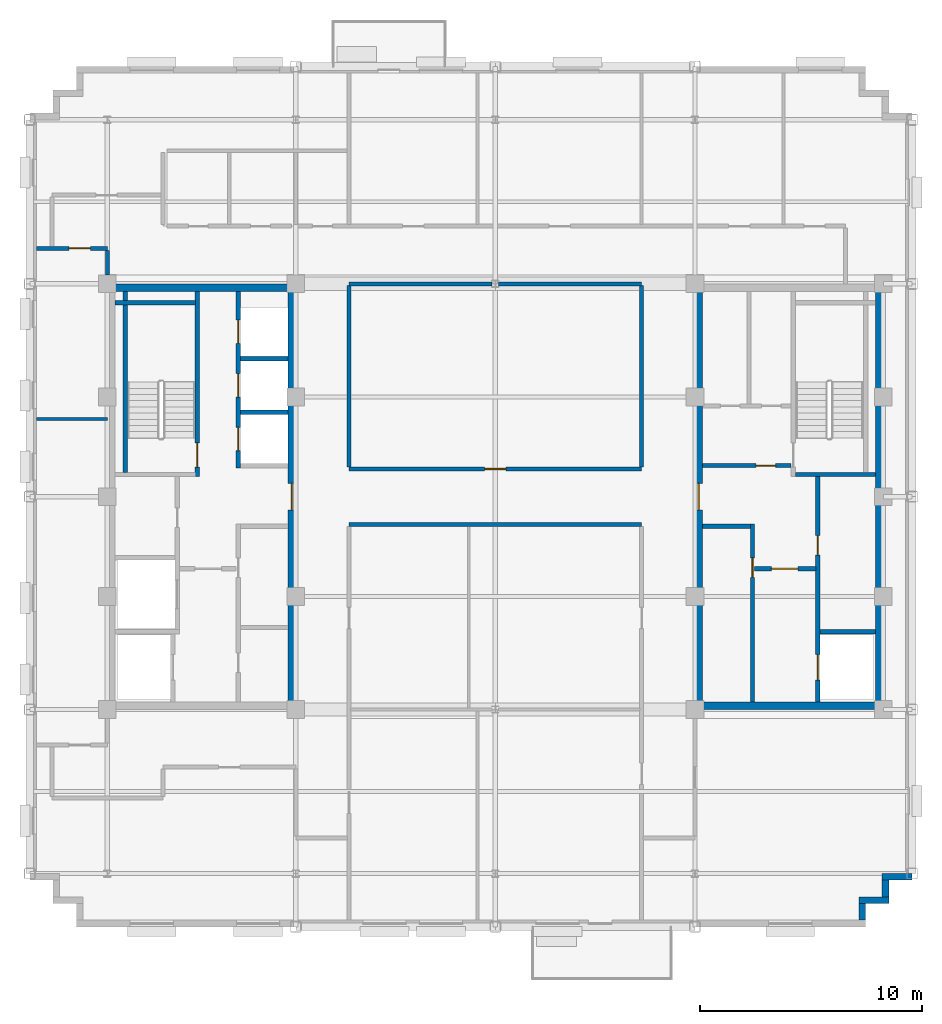
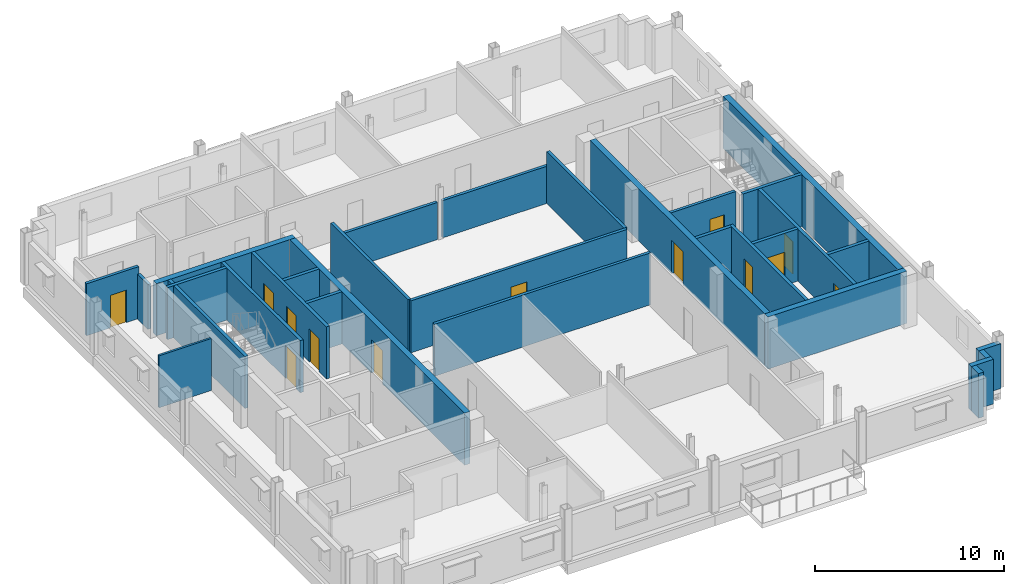
# One storey, part 7 of 13: 31 walls, 13 doors, 13 openings.
"""IFC4 building model written with IfcOpenShell, lengths in metres."""

from ifc_helpers import new_model, si_unit, direction, frame, frame_2d, origin, place, context, subcontext, project, spatial, rectangle, extrude, source, transform, mapped, material, layer, layer_set, type_object, type_shapes, element, fill, save


model = new_model("IFC4")

# Units and contexts
model_context = context("Model", 3, precision=1e-05, world=origin(), true_north=direction((0.0, 1.0)))
body_context = subcontext(model_context, "Body", "Model", "MODEL_VIEW")
ifc_project = project(units=[si_unit("LENGTHUNIT", "METRE"), si_unit("AREAUNIT", "SQUARE_METRE"), si_unit("VOLUMEUNIT", "CUBIC_METRE"), si_unit("PLANEANGLEUNIT", "RADIAN"), si_unit("MASSUNIT", "GRAM", prefix="KILO")], contexts=[model_context])

# Site, building, storey
site_placement = place(None, origin())
site = spatial("IfcSite", under=ifc_project, at=site_placement, CompositionType="ELEMENT")
building_placement = place(site_placement, origin())
building = spatial("IfcBuilding", under=site, at=building_placement, Name="Nuvemarco Arch Tower", CompositionType="ELEMENT")
storey_placement = place(building_placement, frame((0.0, 0.0, 261.60009765625)))
storey = spatial("IfcBuildingStorey", under=building, at=storey_placement, Name="L69", CompositionType="ELEMENT", Elevation=261.60009765625)

# Walls
ifc_material_1 = material(Name="Precast concrete C45/55", Category="concrete")
ifc_layer_1 = layer(ifc_material_1, 0.300048828125, Name="EW-HIGH-300")
ifc_layer_set_1 = layer_set([ifc_layer_1], Name="Precast concrete C45/55")
wall_type_1 = type_object("IfcWallType", Name="EW-HIGH-300", PredefinedType="STANDARD", material=ifc_layer_set_1)
wall_1_placement = place(storey_placement, frame((16.550048828125, -19.10400390625, 0.0), z_axis=(0.0, 0.0, 1.0), x_axis=(0.0, 1.0, 0.0)))
element("IfcWall", 1, at=wall_1_placement, inside=storey, type_object=wall_type_1, Name="L69 exterior precast facade wall 2", PredefinedType="STANDARD", context=body_context, shape_type="SweptSolid", body=[
    extrude(rectangle(XDim=0.758056640625, YDim=0.300048828125, at=frame_2d((0.37890625, 0.0))), origin(), (0.0, 0.0, 1.0), 2.891845703125),
])
wall_2_placement = place(storey_placement, frame((16.39990234375, -18.199951171875, 0.0), z_axis=(0.0, 0.0, 1.0), x_axis=(1.0, 0.0, 0.0)))
element("IfcWall", 2, at=wall_2_placement, inside=storey, type_object=wall_type_1, Name="L69 exterior precast facade wall 3", PredefinedType="STANDARD", context=body_context, shape_type="SweptSolid", body=[
    extrude(rectangle(XDim=1.35009765625, YDim=0.300048828125, at=frame_2d((0.675048828125, 0.0))), origin(), (0.0, 0.0, 1.0), 2.891845703125),
])
wall_3_placement = place(storey_placement, frame((17.60009765625, -18.053955078125, 0.0), z_axis=(0.0, 0.0, 1.0), x_axis=(0.0, 1.0, 0.0)))
element("IfcWall", 3, at=wall_3_placement, inside=storey, type_object=wall_type_1, Name="L69 exterior precast facade wall 4", PredefinedType="STANDARD", context=body_context, shape_type="SweptSolid", body=[
    extrude(rectangle(XDim=0.758056640625, YDim=0.300048828125, at=frame_2d((0.37890625, 0.0))), origin(), (0.0, 0.0, 1.0), 2.891845703125),
])
wall_4_placement = place(storey_placement, frame((17.449951171875, -17.14990234375, 0.0), z_axis=(0.0, 0.0, 1.0), x_axis=(1.0, 0.0, 0.0)))
element("IfcWall", 4, at=wall_4_placement, inside=storey, type_object=wall_type_1, Name="L69 exterior precast facade wall 5", PredefinedType="STANDARD", context=body_context, shape_type="SweptSolid", body=[
    extrude(rectangle(XDim=1.35009765625, YDim=0.300048828125, at=frame_2d((0.675048828125, 0.0))), origin(), (0.0, 0.0, 1.0), 2.891845703125),
])
ifc_material_2 = material(Name="Concrete C50/60", Category="concrete")
ifc_layer_2 = layer(ifc_material_2, 0.35009765625, Name="WL-CORE-350")
ifc_layer_set_2 = layer_set([ifc_layer_2], Name="Concrete C50/60")
wall_type_2 = type_object("IfcWallType", Name="WL-CORE-350", PredefinedType="SHEAR", material=ifc_layer_set_2)
wall_5_placement = place(storey_placement, frame((-17.5, 9.425048828125, 0.0), z_axis=(0.0, 0.0, 1.0), x_axis=(1.0, 0.0, 0.0)))
element("IfcWall", 5, at=wall_5_placement, inside=storey, type_object=wall_type_2, Name="L69 W-core shear wall N", PredefinedType="SHEAR", context=body_context, shape_type="SweptSolid", body=[
    extrude(rectangle(XDim=8.5, YDim=0.35009765625, at=frame_2d((4.25, 0.0))), origin(), (0.0, 0.0, 1.0), 3.369873046875),
])

# Wall, opening, door
wall_6_placement = place(storey_placement, frame((-9.175048828125, -9.2548828125, 0.0), z_axis=(0.0, 0.0, 1.0), x_axis=(0.0, 1.0, 0.0)))
wall_6 = element("IfcWall", 6, at=wall_6_placement, inside=storey, type_object=wall_type_2, Name="L69 W-core shear wall E", PredefinedType="SHEAR", context=body_context, shape_type="SweptSolid", body=[
    extrude(rectangle(XDim=18.509765625, YDim=0.35009765625, at=frame_2d((9.2548828125, 0.0))), origin(), (0.0, 0.0, 1.0), 3.369873046875),
])
opening_1_placement = place(wall_6_placement, frame((8.655029296875, 0.0, 0.0)))
opening_1 = element("IfcOpeningElement", 7, at=opening_1_placement, cuts=wall_6, Name="Opening FD-2", PredefinedType="OPENING", context=body_context, shape_type="SweptSolid", body=[
    extrude(rectangle(XDim=1.199951171875, YDim=2.14990234375, at=frame_2d((0.60009765625, 1.074951171875))), frame((0.0, 0.18505859375, 0.0), z_axis=(0.0, -1.0, 0.0), x_axis=(1.0, 0.0, 0.0)), (0.0, 0.0, 1.0), 0.3701171875),
])
ifc_material_3 = material(Name="Anodised steel fire door", Category="steel")
door_type_1 = type_object("IfcDoorType", Name="DR-FFLOB-FD", OperationType="NOTDEFINED", PredefinedType="DOOR", material=ifc_material_3)
shared_shape_1 = source(origin(), body_context, "Body", "SweptSolid", [
    extrude(rectangle(XDim=1.199951171875, YDim=2.14990234375, at=frame_2d((0.60009765625, 1.074951171875))), frame((0.0, 0.02490234375, 0.0), z_axis=(0.0, -1.0, 0.0), x_axis=(1.0, 0.0, 0.0)), (0.0, 0.0, 1.0), 0.050048828125),
])
type_shapes(door_type_1, [shared_shape_1])
door_1_placement = place(opening_1_placement, origin())
door_1 = element("IfcDoor", 8, at=door_1_placement, inside=storey, type_object=door_type_1, Name="L69 door FD-L69-WCORE-E", OperationType="SINGLE_SWING_LEFT", OverallHeight=2.14990234375, OverallWidth=1.199951171875, PredefinedType="DOOR", context=body_context, shape_type="MappedRepresentation", body=[
    mapped(shared_shape_1, transform((0.0, 0.0, 0.0), scale=1.0)),
])
fill(opening_1, door_1)

# Wall
wall_7_placement = place(storey_placement, frame((9.0, -9.425048828125, 0.0), z_axis=(0.0, 0.0, 1.0), x_axis=(1.0, 0.0, 0.0)))
element("IfcWall", 9, at=wall_7_placement, inside=storey, type_object=wall_type_2, Name="L69 E-core shear wall S", PredefinedType="SHEAR", context=body_context, shape_type="SweptSolid", body=[
    extrude(rectangle(XDim=8.5, YDim=0.35009765625, at=frame_2d((4.25, 0.0))), origin(), (0.0, 0.0, 1.0), 3.369873046875),
])

# Wall, opening, door
wall_8_placement = place(storey_placement, frame((9.175048828125, -9.2548828125, 0.0), z_axis=(0.0, 0.0, 1.0), x_axis=(0.0, 1.0, 0.0)))
wall_8 = element("IfcWall", 10, at=wall_8_placement, inside=storey, type_object=wall_type_2, Name="L69 E-core shear wall W", PredefinedType="SHEAR", context=body_context, shape_type="SweptSolid", body=[
    extrude(rectangle(XDim=18.509765625, YDim=0.35009765625, at=frame_2d((9.2548828125, 0.0))), origin(), (0.0, 0.0, 1.0), 3.369873046875),
])
opening_2_placement = place(wall_8_placement, frame((8.655029296875, 0.0, 0.0)))
opening_2 = element("IfcOpeningElement", 11, at=opening_2_placement, cuts=wall_8, Name="Opening FD-2", PredefinedType="OPENING", context=body_context, shape_type="SweptSolid", body=[
    extrude(rectangle(XDim=1.199951171875, YDim=2.14990234375, at=frame_2d((0.60009765625, 1.074951171875))), frame((0.0, 0.18505859375, 0.0), z_axis=(0.0, -1.0, 0.0), x_axis=(1.0, 0.0, 0.0)), (0.0, 0.0, 1.0), 0.3701171875),
])
door_2_placement = place(opening_2_placement, origin())
door_2 = element("IfcDoor", 12, at=door_2_placement, inside=storey, type_object=door_type_1, Name="L69 door FD-L69-ECORE-W", OperationType="SINGLE_SWING_RIGHT", OverallHeight=2.14990234375, OverallWidth=1.199951171875, PredefinedType="DOOR", context=body_context, shape_type="MappedRepresentation", body=[
    mapped(shared_shape_1, transform((0.0, 0.0, 0.0), scale=1.0)),
])
fill(opening_2, door_2)

# Wall
wall_9_placement = place(storey_placement, frame((17.324951171875, -9.2548828125, 0.0), z_axis=(0.0, 0.0, 1.0), x_axis=(0.0, 1.0, 0.0)))
element("IfcWall", 13, at=wall_9_placement, inside=storey, type_object=wall_type_2, Name="L69 E-core shear wall E", PredefinedType="SHEAR", context=body_context, shape_type="SweptSolid", body=[
    extrude(rectangle(XDim=18.509765625, YDim=0.35009765625, at=frame_2d((9.2548828125, 0.0))), origin(), (0.0, 0.0, 1.0), 3.369873046875),
])

# Wall, opening, door
ifc_material_4 = material(Name="Fire-rated gypsum drywall partition")
ifc_layer_3 = layer(ifc_material_4, 0.179931640625, Name="WL-CORR-180")
ifc_layer_set_3 = layer_set([ifc_layer_3], Name="Fire-rated gypsum drywall partition")
wall_type_3 = type_object("IfcWallType", Name="WL-CORR-180", PredefinedType="PARTITIONING", material=ifc_layer_set_3)
wall_10_placement = place(storey_placement, frame((9.344970703125, 1.39990234375, 0.0), z_axis=(0.0, 0.0, 1.0), x_axis=(1.0, 0.0, 0.0)))
wall_10 = element("IfcWall", 14, at=wall_10_placement, inside=storey, type_object=wall_type_3, Name="L69 interior wall IW-L69-EK-S", PredefinedType="PARTITIONING", context=body_context, shape_type="SweptSolid", body=[
    extrude(rectangle(XDim=4.0, YDim=0.179931640625, at=frame_2d((2.0, 0.0))), origin(), (0.0, 0.0, 1.0), 3.35986328125),
])
opening_3_placement = place(wall_10_placement, frame((2.4150390625, 0.0, 0.0)))
opening_3 = element("IfcOpeningElement", 15, at=opening_3_placement, cuts=wall_10, Name="Opening FD-4", PredefinedType="OPENING", context=body_context, shape_type="SweptSolid", body=[
    extrude(rectangle(XDim=0.8798828125, YDim=2.10009765625, at=frame_2d((0.43994140625, 1.050048828125))), frame((0.0, 0.099853515625, 0.0), z_axis=(0.0, -1.0, 0.0), x_axis=(1.0, 0.0, 0.0)), (0.0, 0.0, 1.0), 0.199951171875),
])
door_type_2 = type_object("IfcDoorType", Name="DR-RISER-FD", OperationType="NOTDEFINED", PredefinedType="DOOR", material=ifc_material_3)
shared_shape_2 = source(origin(), body_context, "Body", "SweptSolid", [
    extrude(rectangle(XDim=0.8798828125, YDim=2.10009765625, at=frame_2d((0.43994140625, 1.050048828125))), frame((0.0, 0.02490234375, 0.0), z_axis=(0.0, -1.0, 0.0), x_axis=(1.0, 0.0, 0.0)), (0.0, 0.0, 1.0), 0.050048828125),
])
type_shapes(door_type_2, [shared_shape_2])
door_3_placement = place(opening_3_placement, origin())
door_3 = element("IfcDoor", 16, at=door_3_placement, inside=storey, type_object=door_type_2, Name="L69 door FD-L69-EK3A", OperationType="SINGLE_SWING_LEFT", OverallHeight=2.10009765625, OverallWidth=0.8798828125, PredefinedType="DOOR", context=body_context, shape_type="MappedRepresentation", body=[
    mapped(shared_shape_2, transform((0.0, 0.0, 0.0), scale=1.0)),
])
fill(opening_3, door_3)

# Wall
wall_11_placement = place(storey_placement, frame((-6.60009765625, -1.25, 0.0), z_axis=(0.0, 0.0, 1.0), x_axis=(1.0, 0.0, 0.0)))
element("IfcWall", 17, at=wall_11_placement, inside=storey, type_object=wall_type_3, Name="L69 interior wall IW-L69-008", PredefinedType="PARTITIONING", context=body_context, shape_type="SweptSolid", body=[
    extrude(rectangle(XDim=13.2001953125, YDim=0.179931640625, at=frame_2d((6.60009765625, 0.0))), origin(), (0.0, 0.0, 1.0), 3.35986328125),
])

# Wall, opening, door
wall_12_placement = place(storey_placement, frame((-6.60009765625, 1.25, 0.0), z_axis=(0.0, 0.0, 1.0), x_axis=(1.0, 0.0, 0.0)))
wall_12 = element("IfcWall", 18, at=wall_12_placement, inside=storey, type_object=wall_type_3, Name="L69 interior wall IW-L69-009", PredefinedType="PARTITIONING", context=body_context, shape_type="SweptSolid", body=[
    extrude(rectangle(XDim=13.2001953125, YDim=0.179931640625, at=frame_2d((6.60009765625, 0.0))), origin(), (0.0, 0.0, 1.0), 3.35986328125),
])
opening_4_placement = place(wall_12_placement, frame((6.1201171875, 0.0, 0.0)))
opening_4 = element("IfcOpeningElement", 19, at=opening_4_placement, cuts=wall_12, Name="Opening FD-5", PredefinedType="OPENING", context=body_context, shape_type="SweptSolid", body=[
    extrude(rectangle(XDim=0.9599609375, YDim=2.10009765625, at=frame_2d((0.47998046875, 1.050048828125))), frame((0.0, 0.099853515625, 0.0), z_axis=(0.0, -1.0, 0.0), x_axis=(1.0, 0.0, 0.0)), (0.0, 0.0, 1.0), 0.199951171875),
])
ifc_material_5 = material(Name="Timber fire door", Category="wood")
door_type_3 = type_object("IfcDoorType", Name="DR-CORR-FD", OperationType="NOTDEFINED", PredefinedType="DOOR", material=ifc_material_5)
shared_shape_3 = source(origin(), body_context, "Body", "SweptSolid", [
    extrude(rectangle(XDim=0.9599609375, YDim=2.10009765625, at=frame_2d((0.47998046875, 1.050048828125))), frame((0.0, 0.02490234375, 0.0), z_axis=(0.0, -1.0, 0.0), x_axis=(1.0, 0.0, 0.0)), (0.0, 0.0, 1.0), 0.050048828125),
])
type_shapes(door_type_3, [shared_shape_3])
door_4_placement = place(opening_4_placement, origin())
door_4 = element("IfcDoor", 20, at=door_4_placement, inside=storey, type_object=door_type_3, Name="L69 door DR-L69-C_N1", OperationType="SINGLE_SWING_RIGHT", OverallHeight=2.10009765625, OverallWidth=0.9599609375, PredefinedType="DOOR", context=body_context, shape_type="MappedRepresentation", body=[
    mapped(shared_shape_3, transform((0.0, 0.0, 0.0), scale=1.0)),
])
fill(opening_4, door_4)

# Walls
for number, where, z_axis, x_axis, name in (
    (21, (-6.60009765625, 9.60009765625, 0.0), (0.0, 0.0, 1.0), (1.0, 0.0, 0.0), "L69 interior wall IW-L69-011"),
    (22, (0.15087890625, 9.60009765625, 0.0), (0.0, 0.0, 1.0), (1.0, 0.0, 0.0), "L69 interior wall IW-L69-012"),
):
    element("IfcWall", number, at=place(storey_placement, frame(where, z_axis=z_axis, x_axis=x_axis)), inside=storey, type_object=wall_type_3, Name=name, PredefinedType="PARTITIONING", context=body_context, shape_type="SweptSolid", body=[
        extrude(rectangle(XDim=6.44921875, YDim=0.179931640625, at=frame_2d((3.224609375, 0.0))), origin(), (0.0, 0.0, 1.0), 2.40478515625),
    ])

# Wall, opening, door
wall_13_placement = place(storey_placement, frame((-20.699951171875, 11.199951171875, 0.0), z_axis=(0.0, 0.0, 1.0), x_axis=(1.0, 0.0, 0.0)))
wall_13 = element("IfcWall", 23, at=wall_13_placement, inside=storey, type_object=wall_type_3, Name="L69 interior wall IW-L69-013", PredefinedType="PARTITIONING", context=body_context, shape_type="SweptSolid", body=[
    extrude(rectangle(XDim=3.199951171875, YDim=0.179931640625, at=frame_2d((1.60009765625, 0.0))), origin(), (0.0, 0.0, 1.0), 3.35986328125),
])
opening_5_placement = place(wall_13_placement, frame((1.469970703125, 0.0, 0.0)))
opening_5 = element("IfcOpeningElement", 24, at=opening_5_placement, cuts=wall_13, Name="Opening FD-5", PredefinedType="OPENING", context=body_context, shape_type="SweptSolid", body=[
    extrude(rectangle(XDim=0.9599609375, YDim=2.10009765625, at=frame_2d((0.47998046875, 1.050048828125))), frame((0.0, 0.099853515625, 0.0), z_axis=(0.0, -1.0, 0.0), x_axis=(1.0, 0.0, 0.0)), (0.0, 0.0, 1.0), 0.199951171875),
])
door_5_placement = place(opening_5_placement, origin())
door_5 = element("IfcDoor", 25, at=door_5_placement, inside=storey, type_object=door_type_3, Name="L69 door DR-L69-W_2", OperationType="SINGLE_SWING_LEFT", OverallHeight=2.10009765625, OverallWidth=0.9599609375, PredefinedType="DOOR", context=body_context, shape_type="MappedRepresentation", body=[
    mapped(shared_shape_3, transform((0.0, 0.0, 0.0), scale=1.0)),
])
fill(opening_5, door_5)

# Walls
wall_14_placement = place(storey_placement, frame((-17.5, 9.99609375, 0.0), z_axis=(0.0, 0.0, 1.0), x_axis=(0.0, 1.0, 0.0)))
element("IfcWall", 26, at=wall_14_placement, inside=storey, type_object=wall_type_3, Name="L69 interior wall IW-L69-021", PredefinedType="PARTITIONING", context=body_context, shape_type="SweptSolid", body=[
    extrude(rectangle(XDim=1.117919921875, YDim=0.179931640625, at=frame_2d((0.55908203125, 0.0))), origin(), (0.0, 0.0, 1.0), 2.891845703125),
])
for number, where, z_axis, x_axis, name in (
    (27, (-6.60009765625, 1.3359375, 0.0), (0.0, 0.0, 1.0), (0.0, 1.0, 0.0), "L69 interior wall IW-L69-028"),
    (28, (6.60009765625, 1.3359375, 0.0), (0.0, 0.0, 1.0), (0.0, 1.0, 0.0), "L69 interior wall IW-L69-034"),
):
    element("IfcWall", number, at=place(storey_placement, frame(where, z_axis=z_axis, x_axis=x_axis)), inside=storey, type_object=wall_type_3, Name=name, PredefinedType="PARTITIONING", context=body_context, shape_type="SweptSolid", body=[
        extrude(rectangle(XDim=8.177978515625, YDim=0.179931640625, at=frame_2d((4.0888671875, 0.0))), origin(), (0.0, 0.0, 1.0), 3.35986328125),
    ])
ifc_material_6 = material(Name="Glazed acoustic office partition")
ifc_layer_4 = layer(ifc_material_6, 0.1298828125, Name="WL-EXEC-130")
ifc_layer_set_4 = layer_set([ifc_layer_4], Name="Glazed acoustic office partition")
wall_type_4 = type_object("IfcWallType", Name="WL-EXEC-130", PredefinedType="PARTITIONING", material=ifc_layer_set_4)
wall_15_placement = place(storey_placement, frame((-20.699951171875, 3.5, 0.0), z_axis=(0.0, 0.0, 1.0), x_axis=(1.0, 0.0, 0.0)))
element("IfcWall", 29, at=wall_15_placement, inside=storey, type_object=wall_type_4, Name="L69 interior wall IW-L69-010", PredefinedType="PARTITIONING", context=body_context, shape_type="SweptSolid", body=[
    extrude(rectangle(XDim=3.199951171875, YDim=0.1298828125, at=frame_2d((1.60009765625, 0.0))), origin(), (0.0, 0.0, 1.0), 3.35986328125),
])

# Wall, opening, door
ifc_layer_5 = layer(ifc_material_2, 0.199951171875, Name="WL-SHAFT-220")
ifc_layer_set_5 = layer_set([ifc_layer_5], Name="Concrete C50/60")
wall_type_5 = type_object("IfcWallType", Name="WL-SHAFT-220", PredefinedType="SHEAR", material=ifc_layer_set_5)
wall_16_placement = place(storey_placement, frame((-13.43994140625, 0.89990234375, 0.0), z_axis=(0.0, 0.0, 1.0), x_axis=(0.0, 1.0, 0.0)))
wall_16 = element("IfcWall", 30, at=wall_16_placement, inside=storey, type_object=wall_type_5, Name="L69 structural shaft wall SW-L69-W-ST1E", PredefinedType="SHEAR", context=body_context, shape_type="SweptSolid", body=[
    extrude(rectangle(XDim=8.35498046875, YDim=0.199951171875, at=frame_2d((4.177490234375, 0.0))), origin(), (0.0, 0.0, 1.0), 3.369873046875),
])
opening_6_placement = place(wall_16_placement, frame((1.530029296875, 0.0, 0.0), z_axis=(0.0, 0.0, 1.0), x_axis=(-1.0, 0.0, 0.0)))
opening_6 = element("IfcOpeningElement", 31, at=opening_6_placement, cuts=wall_16, Name="Opening FD-1", PredefinedType="OPENING", context=body_context, shape_type="SweptSolid", body=[
    extrude(rectangle(XDim=1.10009765625, YDim=2.14990234375, at=frame_2d((0.550048828125, 1.074951171875))), frame((0.0, 0.10986328125, 0.0), z_axis=(0.0, -1.0, 0.0), x_axis=(1.0, 0.0, 0.0)), (0.0, 0.0, 1.0), 0.219970703125),
])
door_type_4 = type_object("IfcDoorType", Name="DR-STAIR-FD", OperationType="NOTDEFINED", PredefinedType="DOOR", material=ifc_material_3)
shared_shape_4 = source(origin(), body_context, "Body", "SweptSolid", [
    extrude(rectangle(XDim=1.10009765625, YDim=2.14990234375, at=frame_2d((0.550048828125, 1.074951171875))), frame((0.0, 0.02490234375, 0.0), z_axis=(0.0, -1.0, 0.0), x_axis=(1.0, 0.0, 0.0)), (0.0, 0.0, 1.0), 0.050048828125),
])
type_shapes(door_type_4, [shared_shape_4])
door_6_placement = place(opening_6_placement, origin())
door_6 = element("IfcDoor", 32, at=door_6_placement, inside=storey, type_object=door_type_4, Name="L69 door FD-L69-ST1", OperationType="SINGLE_SWING_RIGHT", OverallHeight=2.14990234375, OverallWidth=1.10009765625, PredefinedType="DOOR", context=body_context, shape_type="MappedRepresentation", body=[
    mapped(shared_shape_4, transform((0.0, 0.0, 0.0), scale=1.0)),
])
fill(opening_6, door_6)

# Walls
wall_17_placement = place(storey_placement, frame((-17.155029296875, 8.75, 0.0), z_axis=(0.0, 0.0, 1.0), x_axis=(1.0, 0.0, 0.0)))
element("IfcWall", 33, at=wall_17_placement, inside=storey, type_object=wall_type_5, Name="L69 structural shaft wall SW-L69-W-ST1N", PredefinedType="SHEAR", context=body_context, shape_type="SweptSolid", body=[
    extrude(rectangle(XDim=3.6201171875, YDim=0.199951171875, at=frame_2d((1.81005859375, 0.0))), origin(), (0.0, 0.0, 1.0), 3.369873046875),
])
wall_18_placement = place(storey_placement, frame((-16.699951171875, 1.094970703125, 0.0), z_axis=(0.0, 0.0, 1.0), x_axis=(0.0, 1.0, 0.0)))
element("IfcWall", 34, at=wall_18_placement, inside=storey, type_object=wall_type_5, Name="L69 structural shaft wall SW-L69-W-ST1W", PredefinedType="SHEAR", context=body_context, shape_type="SweptSolid", body=[
    extrude(rectangle(XDim=8.159912109375, YDim=0.199951171875, at=frame_2d((4.080078125, 0.0))), origin(), (0.0, 0.0, 1.0), 3.369873046875),
])

# Wall, openings, doors
wall_19_placement = place(storey_placement, frame((-11.60009765625, 1.300048828125, 0.0), z_axis=(0.0, 0.0, 1.0), x_axis=(0.0, 1.0, 0.0)))
wall_19 = element("IfcWall", 35, at=wall_19_placement, inside=storey, type_object=wall_type_5, Name="L69 structural shaft wall SW-L69-W-PHW", PredefinedType="SHEAR", context=body_context, shape_type="SweptSolid", body=[
    extrude(rectangle(XDim=7.954833984375, YDim=0.199951171875, at=frame_2d((3.9775390625, 0.0))), origin(), (0.0, 0.0, 1.0), 3.369873046875),
])
opening_7_placement = place(wall_19_placement, frame((0.77490234375, 0.0, 0.0)))
opening_7 = element("IfcOpeningElement", 36, at=opening_7_placement, cuts=wall_19, Name="Opening LD-1", PredefinedType="OPENING", context=body_context, shape_type="SweptSolid", body=[
    extrude(rectangle(XDim=1.050048828125, YDim=2.14990234375, at=frame_2d((0.52490234375, 1.074951171875))), frame((0.0, 0.10986328125, 0.0), z_axis=(0.0, -1.0, 0.0), x_axis=(1.0, 0.0, 0.0)), (0.0, 0.0, 1.0), 0.219970703125),
])
opening_8_placement = place(wall_19_placement, frame((3.195068359375, 0.0, 0.0)))
opening_8 = element("IfcOpeningElement", 37, at=opening_8_placement, cuts=wall_19, Name="Opening LD-1", PredefinedType="OPENING", context=body_context, shape_type="SweptSolid", body=[
    extrude(rectangle(XDim=1.050048828125, YDim=2.14990234375, at=frame_2d((0.52490234375, 1.074951171875))), frame((0.0, 0.10986328125, 0.0), z_axis=(0.0, -1.0, 0.0), x_axis=(1.0, 0.0, 0.0)), (0.0, 0.0, 1.0), 0.219970703125),
])
opening_9_placement = place(wall_19_placement, frame((5.614990234375, 0.0, 0.0)))
opening_9 = element("IfcOpeningElement", 38, at=opening_9_placement, cuts=wall_19, Name="Opening LD-1", PredefinedType="OPENING", context=body_context, shape_type="SweptSolid", body=[
    extrude(rectangle(XDim=1.050048828125, YDim=2.14990234375, at=frame_2d((0.52490234375, 1.074951171875))), frame((0.0, 0.10986328125, 0.0), z_axis=(0.0, -1.0, 0.0), x_axis=(1.0, 0.0, 0.0)), (0.0, 0.0, 1.0), 0.219970703125),
])
ifc_material_7 = material(Name="Stainless steel lift door", Category="steel")
door_type_5 = type_object("IfcDoorType", Name="DR-LIFT-PASS", OperationType="DOUBLE_DOOR_SLIDING", PredefinedType="DOOR", material=ifc_material_7)
shared_shape_5 = source(origin(), body_context, "Body", "SweptSolid", [
    extrude(rectangle(XDim=1.050048828125, YDim=2.14990234375, at=frame_2d((0.52490234375, 1.074951171875))), frame((0.0, 0.02490234375, 0.0), z_axis=(0.0, -1.0, 0.0), x_axis=(1.0, 0.0, 0.0)), (0.0, 0.0, 1.0), 0.050048828125),
])
type_shapes(door_type_5, [shared_shape_5])
door_7_placement = place(opening_7_placement, origin())
door_7 = element("IfcDoor", 39, at=door_7_placement, inside=storey, type_object=door_type_5, Name="L69 Lift landing sliding door PH-1", OperationType="DOUBLE_DOOR_SLIDING", OverallHeight=2.14990234375, OverallWidth=1.050048828125, PredefinedType="DOOR", context=body_context, shape_type="MappedRepresentation", body=[
    mapped(shared_shape_5, transform((0.0, 0.0, 0.0), scale=1.0)),
])
fill(opening_7, door_7)
door_8_placement = place(opening_8_placement, origin())
door_8 = element("IfcDoor", 40, at=door_8_placement, inside=storey, type_object=door_type_5, Name="L69 Lift landing sliding door PH-2", OperationType="DOUBLE_DOOR_SLIDING", OverallHeight=2.14990234375, OverallWidth=1.050048828125, PredefinedType="DOOR", context=body_context, shape_type="MappedRepresentation", body=[
    mapped(shared_shape_5, transform((0.0, 0.0, 0.0), scale=1.0)),
])
fill(opening_8, door_8)
door_9_placement = place(opening_9_placement, origin())
door_9 = element("IfcDoor", 41, at=door_9_placement, inside=storey, type_object=door_type_5, Name="L69 Lift landing sliding door PH-3", OperationType="DOUBLE_DOOR_SLIDING", OverallHeight=2.14990234375, OverallWidth=1.050048828125, PredefinedType="DOOR", context=body_context, shape_type="MappedRepresentation", body=[
    mapped(shared_shape_5, transform((0.0, 0.0, 0.0), scale=1.0)),
])
fill(opening_9, door_9)

# Walls
for number, where, z_axis, x_axis, name in (
    (42, (-11.5048828125, 3.800048828125, 0.0), (0.0, 0.0, 1.0), (1.0, 0.0, 0.0), "L69 structural shaft wall SW-L69-W-PHD2"),
    (43, (-11.5048828125, 6.219970703125, 0.0), (0.0, 0.0, 1.0), (1.0, 0.0, 0.0), "L69 structural shaft wall SW-L69-W-PHD3"),
):
    element("IfcWall", number, at=place(storey_placement, frame(where, z_axis=z_axis, x_axis=x_axis)), inside=storey, type_object=wall_type_5, Name=name, PredefinedType="SHEAR", context=body_context, shape_type="SweptSolid", body=[
        extrude(rectangle(XDim=2.159912109375, YDim=0.199951171875, at=frame_2d((1.080078125, 0.0))), origin(), (0.0, 0.0, 1.0), 3.369873046875),
    ])
wall_20_placement = place(storey_placement, frame((13.534912109375, 1.0, 0.0), z_axis=(0.0, 0.0, 1.0), x_axis=(1.0, 0.0, 0.0)))
element("IfcWall", 44, at=wall_20_placement, inside=storey, type_object=wall_type_5, Name="L69 structural shaft wall SW-L69-E-ST2S", PredefinedType="SHEAR", context=body_context, shape_type="SweptSolid", body=[
    extrude(rectangle(XDim=3.6201171875, YDim=0.199951171875, at=frame_2d((1.81005859375, 0.0))), origin(), (0.0, 0.0, 1.0), 3.369873046875),
])

# Wall, openings, doors
wall_21_placement = place(storey_placement, frame((14.550048828125, -9.2548828125, 0.0), z_axis=(0.0, 0.0, 1.0), x_axis=(0.0, 1.0, 0.0)))
wall_21 = element("IfcWall", 45, at=wall_21_placement, inside=storey, type_object=wall_type_5, Name="L69 structural shaft wall SW-L69-E-SHW", PredefinedType="SHEAR", context=body_context, shape_type="SweptSolid", body=[
    extrude(rectangle(XDim=10.159912109375, YDim=0.199951171875, at=frame_2d((5.080078125, 0.0))), origin(), (0.0, 0.0, 1.0), 3.369873046875),
])
opening_10_placement = place(wall_21_placement, frame((6.614990234375, 0.0, 0.0)))
opening_10 = element("IfcOpeningElement", 46, at=opening_10_placement, cuts=wall_21, Name="Opening FD-4", PredefinedType="OPENING", context=body_context, shape_type="SweptSolid", body=[
    extrude(rectangle(XDim=0.8798828125, YDim=2.10009765625, at=frame_2d((0.43994140625, 1.050048828125))), frame((0.0, 0.10986328125, 0.0), z_axis=(0.0, -1.0, 0.0), x_axis=(1.0, 0.0, 0.0)), (0.0, 0.0, 1.0), 0.219970703125),
])
opening_11_placement = place(wall_21_placement, frame((0.97998046875, 0.0, 0.0)))
opening_11 = element("IfcOpeningElement", 47, at=opening_11_placement, cuts=wall_21, Name="Opening LD-2", PredefinedType="OPENING", context=body_context, shape_type="SweptSolid", body=[
    extrude(rectangle(XDim=1.14990234375, YDim=2.14990234375, at=frame_2d((0.574951171875, 1.074951171875))), frame((0.0, 0.10986328125, 0.0), z_axis=(0.0, -1.0, 0.0), x_axis=(1.0, 0.0, 0.0)), (0.0, 0.0, 1.0), 0.219970703125),
])
door_10_placement = place(opening_10_placement, origin())
door_10 = element("IfcDoor", 48, at=door_10_placement, inside=storey, type_object=door_type_2, Name="L69 door FD-L69-ERIS", OperationType="SINGLE_SWING_LEFT", OverallHeight=2.10009765625, OverallWidth=0.8798828125, PredefinedType="DOOR", context=body_context, shape_type="MappedRepresentation", body=[
    mapped(shared_shape_2, transform((0.0, 0.0, 0.0), scale=1.0)),
])
fill(opening_10, door_10)
door_type_6 = type_object("IfcDoorType", Name="DR-LIFT-FIRE", OperationType="DOUBLE_DOOR_SLIDING", PredefinedType="DOOR", material=ifc_material_7)
shared_shape_6 = source(origin(), body_context, "Body", "SweptSolid", [
    extrude(rectangle(XDim=1.14990234375, YDim=2.14990234375, at=frame_2d((0.574951171875, 1.074951171875))), frame((0.0, 0.02490234375, 0.0), z_axis=(0.0, -1.0, 0.0), x_axis=(1.0, 0.0, 0.0)), (0.0, 0.0, 1.0), 0.050048828125),
])
type_shapes(door_type_6, [shared_shape_6])
door_11_placement = place(opening_11_placement, origin())
door_11 = element("IfcDoor", 49, at=door_11_placement, inside=storey, type_object=door_type_6, Name="L69 Lift landing sliding door FFL-2", OperationType="DOUBLE_DOOR_SLIDING", OverallHeight=2.14990234375, OverallWidth=1.14990234375, PredefinedType="DOOR", context=body_context, shape_type="MappedRepresentation", body=[
    mapped(shared_shape_6, transform((0.0, 0.0, 0.0), scale=1.0)),
])
fill(opening_11, door_11)

# Wall
wall_22_placement = place(storey_placement, frame((14.64501953125, -6.10009765625, 0.0), z_axis=(0.0, 0.0, 1.0), x_axis=(1.0, 0.0, 0.0)))
element("IfcWall", 50, at=wall_22_placement, inside=storey, type_object=wall_type_5, Name="L69 structural shaft wall SW-L69-E-SH1", PredefinedType="SHEAR", context=body_context, shape_type="SweptSolid", body=[
    extrude(rectangle(XDim=2.510009765625, YDim=0.199951171875, at=frame_2d((1.2548828125, 0.0))), origin(), (0.0, 0.0, 1.0), 3.369873046875),
])

# Wall, opening, door
wall_23_placement = place(storey_placement, frame((11.60009765625, -9.2548828125, 0.0), z_axis=(0.0, 0.0, 1.0), x_axis=(0.0, 1.0, 0.0)))
wall_23 = element("IfcWall", 51, at=wall_23_placement, inside=storey, type_object=wall_type_5, Name="L69 structural shaft wall SW-L69-E-PME", PredefinedType="SHEAR", context=body_context, shape_type="SweptSolid", body=[
    extrude(rectangle(XDim=8.02490234375, YDim=0.199951171875, at=frame_2d((4.012451171875, 0.0))), origin(), (0.0, 0.0, 1.0), 3.369873046875),
])
opening_12_placement = place(wall_23_placement, frame((5.614990234375, 0.0, 0.0)))
opening_12 = element("IfcOpeningElement", 52, at=opening_12_placement, cuts=wall_23, Name="Opening FD-4", PredefinedType="OPENING", context=body_context, shape_type="SweptSolid", body=[
    extrude(rectangle(XDim=0.8798828125, YDim=2.10009765625, at=frame_2d((0.43994140625, 1.050048828125))), frame((0.0, 0.10986328125, 0.0), z_axis=(0.0, -1.0, 0.0), x_axis=(1.0, 0.0, 0.0)), (0.0, 0.0, 1.0), 0.219970703125),
])
door_12_placement = place(opening_12_placement, origin())
door_12 = element("IfcDoor", 53, at=door_12_placement, inside=storey, type_object=door_type_2, Name="L69 door FD-L69-ERECPM", OperationType="SINGLE_SWING_RIGHT", OverallHeight=2.10009765625, OverallWidth=0.8798828125, PredefinedType="DOOR", context=body_context, shape_type="MappedRepresentation", body=[
    mapped(shared_shape_2, transform((0.0, 0.0, 0.0), scale=1.0)),
])
fill(opening_12, door_12)

wall_24_placement = place(storey_placement, frame((11.695068359375, -3.25, 0.0), z_axis=(0.0, 0.0, 1.0), x_axis=(1.0, 0.0, 0.0)))
wall_24 = element("IfcWall", 54, at=wall_24_placement, inside=storey, type_object=wall_type_5, Name="L69 structural shaft wall SW-L69-E-FFN", PredefinedType="SHEAR", context=body_context, shape_type="SweptSolid", body=[
    extrude(rectangle(XDim=2.760009765625, YDim=0.199951171875, at=frame_2d((1.3798828125, 0.0))), origin(), (0.0, 0.0, 1.0), 3.369873046875),
])
opening_13_placement = place(wall_24_placement, frame((0.7548828125, 0.0, 0.0)))
opening_13 = element("IfcOpeningElement", 55, at=opening_13_placement, cuts=wall_24, Name="Opening FD-2", PredefinedType="OPENING", context=body_context, shape_type="SweptSolid", body=[
    extrude(rectangle(XDim=1.199951171875, YDim=2.14990234375, at=frame_2d((0.60009765625, 1.074951171875))), frame((0.0, 0.10986328125, 0.0), z_axis=(0.0, -1.0, 0.0), x_axis=(1.0, 0.0, 0.0)), (0.0, 0.0, 1.0), 0.219970703125),
])
door_13_placement = place(opening_13_placement, origin())
door_13 = element("IfcDoor", 56, at=door_13_placement, inside=storey, type_object=door_type_1, Name="L69 door FD-L69-EFF2", OperationType="SINGLE_SWING_LEFT", OverallHeight=2.14990234375, OverallWidth=1.199951171875, PredefinedType="DOOR", context=body_context, shape_type="MappedRepresentation", body=[
    mapped(shared_shape_1, transform((0.0, 0.0, 0.0), scale=1.0)),
])
fill(opening_13, door_13)

# Wall
wall_25_placement = place(storey_placement, frame((9.344970703125, -1.330078125, 0.0), z_axis=(0.0, 0.0, 1.0), x_axis=(1.0, 0.0, 0.0)))
element("IfcWall", 57, at=wall_25_placement, inside=storey, type_object=wall_type_5, Name="L69 structural shaft wall SW-L69-E-PMTOP", PredefinedType="SHEAR", context=body_context, shape_type="SweptSolid", body=[
    extrude(rectangle(XDim=2.159912109375, YDim=0.199951171875, at=frame_2d((1.080078125, 0.0))), origin(), (0.0, 0.0, 1.0), 3.369873046875),
])

save(model, "model.ifc")
